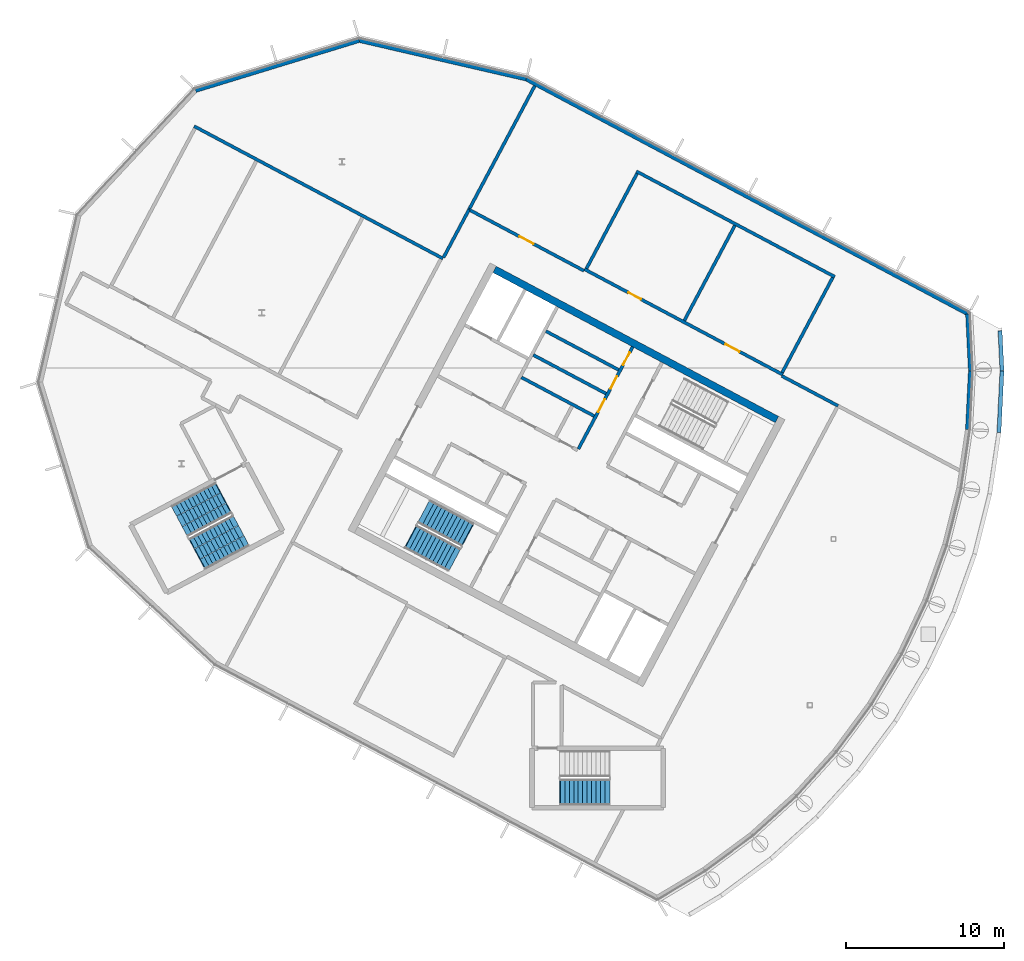
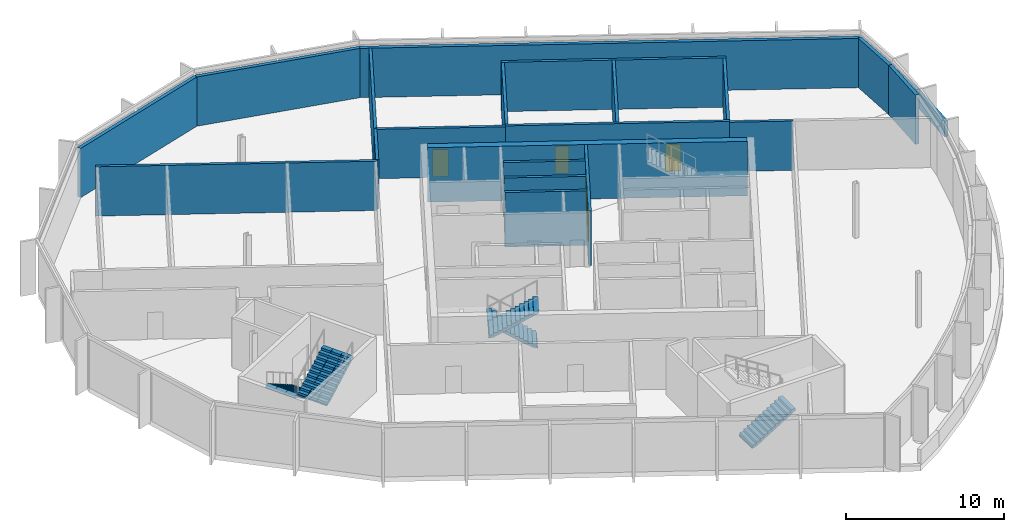
# One storey, part 8 of 16: 22 walls, 6 doors, 5 stair flights, 6 openings, 3 elements without a shape of their own.
"""IFC4 building model written with IfcOpenShell, lengths in metres."""

from ifc_helpers import new_model, si_unit, direction, frame, frame_2d, origin, place, context, subcontext, project, spatial, polyline, rectangle, outline, extrude, material, layer, layer_set, type_object, element, fill, aggregate, save


model = new_model("IFC4")

# Units and contexts
model_context = context("Model", 3, precision=1e-05, world=origin(), true_north=direction((0.0, 1.0)))
body_context = subcontext(model_context, "Body", "Model", "MODEL_VIEW")
ifc_project = project(units=[si_unit("LENGTHUNIT", "METRE"), si_unit("AREAUNIT", "SQUARE_METRE"), si_unit("VOLUMEUNIT", "CUBIC_METRE"), si_unit("PLANEANGLEUNIT", "RADIAN"), si_unit("MASSUNIT", "GRAM", prefix="KILO")], contexts=[model_context])

# Site, building, storey
site_placement = place(None, origin())
site = spatial("IfcSite", under=ifc_project, at=site_placement, CompositionType="ELEMENT")
building_placement = place(site_placement, origin())
building = spatial("IfcBuilding", under=site, at=building_placement, Name="Cormorant Relay Tower", CompositionType="ELEMENT")
storey_placement = place(building_placement, frame((0.0, 0.0, 345.0)))
storey = spatial("IfcBuildingStorey", under=building, at=storey_placement, Name="C5", CompositionType="ELEMENT", Elevation=345.0)

# Walls
ifc_material_1 = material(Name="Concrete 40 MPa", Category="concrete")
ifc_layer_1 = layer(ifc_material_1, 0.199951171875)
ifc_layer_set_1 = layer_set([ifc_layer_1], Name="Core internal wall 200")
wall_type_1 = type_object("IfcWallType", Name="Core internal wall 200", PredefinedType="SOLIDWALL", material=ifc_layer_set_1)
for number, where, z_axis, x_axis, name in (
    (1, (-24.073974609375, 21.181396484375, 0.0), (0.0, 0.0, 1.0), (-0.882953967957, 0.469459572775, 0.0), "C5 core A shaft and room wall"),
    (2, (-24.8720703125, 19.680419921875, 0.0), (0.0, 0.0, 1.0), (-0.882953967957, 0.469459572775, 0.0), "C5 core A shaft and room wall"),
):
    element("IfcWall", number, at=place(storey_placement, frame(where, z_axis=z_axis, x_axis=x_axis)), inside=storey, type_object=wall_type_1, Name=name, PredefinedType="SOLIDWALL", context=body_context, shape_type="SweptSolid", body=[
        extrude(rectangle(XDim=5.199951171875, YDim=0.199951171875, at=frame_2d((2.60009765625, 0.0))), origin(), (0.0, 0.0, 1.0), 4.199951171875),
    ])

# Wall, openings, doors
ifc_material_2 = material(Name="Concrete 50 MPa", Category="concrete")
ifc_layer_2 = layer(ifc_material_2, 0.199951171875)
ifc_layer_set_2 = layer_set([ifc_layer_2], Name="Core shaft wall 200")
wall_type_2 = type_object("IfcWallType", Name="Core shaft wall 200", PredefinedType="SHEAR", material=ifc_layer_set_2)
wall_1_placement = place(storey_placement, frame((-23.1875, 22.635498046875, 0.0), z_axis=(0.0, 0.0, 1.0), x_axis=(-0.469454336211, -0.882956752176, 0.0)))
wall_1 = element("IfcWall", 3, at=wall_1_placement, inside=storey, type_object=wall_type_2, Name="C5 core A shaft wall", PredefinedType="SHEAR", context=body_context, shape_type="SweptSolid", body=[
    extrude(rectangle(XDim=7.300048828125, YDim=0.199951171875, at=frame_2d((3.64990234375, 0.0))), origin(), (0.0, 0.0, 1.0), 4.199951171875),
])
opening_1_placement = place(wall_1_placement, frame((0.39990234375, 0.0, 0.0)))
opening_1 = element("IfcOpeningElement", 4, at=opening_1_placement, cuts=wall_1, Name="Opening CDD-389", PredefinedType="OPENING", context=body_context, shape_type="SweptSolid", body=[
    extrude(rectangle(XDim=0.89990234375, YDim=2.10009765625, at=frame_2d((0.449951171875, 1.050048828125))), frame((0.0, 0.10986328125, 0.0), z_axis=(0.0, -1.0, 0.0), x_axis=(1.0, 0.0, 0.0)), (0.0, 0.0, 1.0), 0.219970703125),
])
opening_2_placement = place(wall_1_placement, frame((2.10009765625, 0.0, 0.0)))
opening_2 = element("IfcOpeningElement", 5, at=opening_2_placement, cuts=wall_1, Name="Opening CDD-390", PredefinedType="OPENING", context=body_context, shape_type="SweptSolid", body=[
    extrude(rectangle(XDim=0.89990234375, YDim=2.10009765625, at=frame_2d((0.449951171875, 1.050048828125))), frame((0.0, 0.10986328125, 0.0), z_axis=(0.0, -1.0, 0.0), x_axis=(1.0, 0.0, 0.0)), (0.0, 0.0, 1.0), 0.219970703125),
])
opening_3_placement = place(wall_1_placement, frame((3.75, 0.0, 0.0)))
opening_3 = element("IfcOpeningElement", 6, at=opening_3_placement, cuts=wall_1, Name="Opening CDD-386", PredefinedType="OPENING", context=body_context, shape_type="SweptSolid", body=[
    extrude(rectangle(XDim=0.89990234375, YDim=2.10009765625, at=frame_2d((0.449951171875, 1.050048828125))), frame((0.0, 0.10986328125, 0.0), z_axis=(0.0, -1.0, 0.0), x_axis=(1.0, 0.0, 0.0)), (0.0, 0.0, 1.0), 0.219970703125),
])
ifc_material_3 = material(Name="Steel fire door", Category="steel")
door_type_1 = type_object("IfcDoorType", Name="Core room door 900x2100", OperationType="SINGLE_SWING_LEFT", PredefinedType="DOOR", material=ifc_material_3)
door_1_placement = place(opening_1_placement, frame((0.89990234375, 0.0, 0.0), z_axis=(0.0, 0.0, 1.0), x_axis=(-1.0, 0.0, 0.0)))
door_1 = element("IfcDoor", 7, at=door_1_placement, inside=storey, type_object=door_type_1, Name="Core room door 900x2100", OperationType="SINGLE_SWING_LEFT", OverallHeight=2.10009765625, OverallWidth=0.89990234375, PredefinedType="DOOR", context=body_context, shape_type="SweptSolid", body=[
    extrude(rectangle(XDim=0.89990234375, YDim=2.10009765625, at=frame_2d((0.449951171875, 1.050048828125))), frame((0.0, 0.02490234375, 0.0), z_axis=(0.0, -1.0, 0.0), x_axis=(1.0, 0.0, 0.0)), (0.0, 0.0, 1.0), 0.050048828125),
])
fill(opening_1, door_1)
door_2_placement = place(opening_2_placement, frame((0.89990234375, 0.0, 0.0), z_axis=(0.0, 0.0, 1.0), x_axis=(-1.0, 0.0, 0.0)))
door_2 = element("IfcDoor", 8, at=door_2_placement, inside=storey, type_object=door_type_1, Name="Core room door 900x2100", OperationType="SINGLE_SWING_RIGHT", OverallHeight=2.10009765625, OverallWidth=0.89990234375, PredefinedType="DOOR", context=body_context, shape_type="SweptSolid", body=[
    extrude(rectangle(XDim=0.89990234375, YDim=2.10009765625, at=frame_2d((0.449951171875, 1.050048828125))), frame((0.0, 0.02490234375, 0.0), z_axis=(0.0, -1.0, 0.0), x_axis=(1.0, 0.0, 0.0)), (0.0, 0.0, 1.0), 0.050048828125),
])
fill(opening_2, door_2)
door_3_placement = place(opening_3_placement, origin())
door_3 = element("IfcDoor", 9, at=door_3_placement, inside=storey, type_object=door_type_1, Name="Core room door 900x2100", OperationType="SINGLE_SWING_LEFT", OverallHeight=2.10009765625, OverallWidth=0.89990234375, PredefinedType="DOOR", context=body_context, shape_type="SweptSolid", body=[
    extrude(rectangle(XDim=0.89990234375, YDim=2.10009765625, at=frame_2d((0.449951171875, 1.050048828125))), frame((0.0, 0.02490234375, 0.0), z_axis=(0.0, -1.0, 0.0), x_axis=(1.0, 0.0, 0.0)), (0.0, 0.0, 1.0), 0.050048828125),
])
fill(opening_3, door_3)

# Walls
wall_2_placement = place(storey_placement, frame((-25.623046875, 18.267578125, 0.0), z_axis=(0.0, 0.0, 1.0), x_axis=(-0.882953967957, 0.469459572775, 0.0)))
element("IfcWall", 10, at=wall_2_placement, inside=storey, type_object=wall_type_2, Name="C5 core A shaft wall", PredefinedType="SHEAR", context=body_context, shape_type="SweptSolid", body=[
    extrude(rectangle(XDim=5.199951171875, YDim=0.199951171875, at=frame_2d((2.60009765625, 0.0))), origin(), (0.0, 0.0, 1.0), 4.199951171875),
])
ifc_material_4 = material(Name="Concrete 50 MPa", Category="concrete")
ifc_layer_3 = layer(ifc_material_4, 0.449951171875)
ifc_layer_set_3 = layer_set([ifc_layer_3], Name="Core wall 450")
wall_type_3 = type_object("IfcWallType", Name="Core wall 450", PredefinedType="SHEAR", material=ifc_layer_set_3)
wall_3_placement = place(storey_placement, frame((-14.07568359375, 18.04541015625, 0.0), z_axis=(0.0, 0.0, 1.0), x_axis=(-0.882947755831, 0.46947125628, 0.0)))
element("IfcWall", 11, at=wall_3_placement, inside=storey, type_object=wall_type_3, Name="C5 core A wall", PredefinedType="SHEAR", context=body_context, shape_type="SweptSolid", body=[
    extrude(rectangle(XDim=20.2001953125, YDim=0.449951171875, at=frame_2d((10.10009765625, 0.0))), origin(), (0.0, 0.0, 1.0), 4.199951171875),
])
ifc_material_5 = material(Name="Concrete 30 MPa block wall", Category="concrete")
ifc_layer_4 = layer(ifc_material_5, 0.199951171875)
ifc_layer_set_4 = layer_set([ifc_layer_4], Name="Crown plant room wall 200")
wall_type_4 = type_object("IfcWallType", Name="Crown plant room wall 200", PredefinedType="PARTITIONING", material=ifc_layer_set_4)
wall_4_placement = place(storey_placement, frame((-10.41650390625, 27.057373046875, 0.0), z_axis=(0.0, 0.0, 1.0), x_axis=(-0.882947150019, 0.469472395646, 0.0)))
element("IfcWall", 12, at=wall_4_placement, inside=storey, type_object=wall_type_4, Name="Plant room wall", PredefinedType="PARTITIONING", context=body_context, shape_type="SweptSolid", body=[
    extrude(rectangle(XDim=14.199951171875, YDim=0.199951171875, at=frame_2d((7.10009765625, 0.0))), origin(), (0.0, 0.0, 1.0), 3.7998046875),
])

# Wall, openings, doors
wall_5_placement = place(storey_placement, frame((-13.702880859375, 20.876708984375, 0.0), z_axis=(0.0, 0.0, 1.0), x_axis=(-0.882947150019, 0.469472395646, 0.0)))
wall_5 = element("IfcWall", 13, at=wall_5_placement, inside=storey, type_object=wall_type_4, Name="Plant room wall", PredefinedType="PARTITIONING", context=body_context, shape_type="SweptSolid", body=[
    extrude(rectangle(XDim=14.199951171875, YDim=0.199951171875, at=frame_2d((7.10009765625, 0.0))), origin(), (0.0, 0.0, 1.0), 3.7998046875),
])
opening_4_placement = place(wall_5_placement, frame((3.10009765625, 0.0, 0.0)))
opening_4 = element("IfcOpeningElement", 14, at=opening_4_placement, cuts=wall_5, Name="Opening CRD1-014", PredefinedType="OPENING", context=body_context, shape_type="SweptSolid", body=[
    extrude(rectangle(XDim=1.0, YDim=2.10009765625, at=frame_2d((0.5, 1.050048828125))), frame((0.0, 0.10986328125, 0.0), z_axis=(0.0, -1.0, 0.0), x_axis=(1.0, 0.0, 0.0)), (0.0, 0.0, 1.0), 0.219970703125),
])
opening_5_placement = place(wall_5_placement, frame((10.14990234375, 0.0, 0.0)))
opening_5 = element("IfcOpeningElement", 15, at=opening_5_placement, cuts=wall_5, Name="Opening CRD4-002", PredefinedType="OPENING", context=body_context, shape_type="SweptSolid", body=[
    extrude(rectangle(XDim=0.89990234375, YDim=2.10009765625, at=frame_2d((0.449951171875, 1.050048828125))), frame((0.0, 0.10986328125, 0.0), z_axis=(0.0, -1.0, 0.0), x_axis=(1.0, 0.0, 0.0)), (0.0, 0.0, 1.0), 0.219970703125),
])
ifc_material_6 = material(Name="Galvanised sheet steel ASTM A653 framed door leaf", Category="steel")
door_type_2 = type_object("IfcDoorType", Name="Crown door single 1000", OperationType="SINGLE_SWING_LEFT", PredefinedType="DOOR", material=ifc_material_6)
door_4_placement = place(opening_4_placement, frame((1.0, 0.0, 0.0), z_axis=(0.0, 0.0, 1.0), x_axis=(-1.0, 0.0, 0.0)))
door_4 = element("IfcDoor", 16, at=door_4_placement, inside=storey, type_object=door_type_2, Name="Fuel day tank room door", OperationType="SINGLE_SWING_RIGHT", OverallHeight=2.10009765625, OverallWidth=1.0, PredefinedType="DOOR", context=body_context, shape_type="SweptSolid", body=[
    extrude(rectangle(XDim=1.0, YDim=2.10009765625, at=frame_2d((0.5, 1.050048828125))), frame((0.0, 0.02490234375, 0.0), z_axis=(0.0, -1.0, 0.0), x_axis=(1.0, 0.0, 0.0)), (0.0, 0.0, 1.0), 0.050048828125),
])
fill(opening_4, door_4)
ifc_material_7 = material(Name="Galvanised sheet steel ASTM A653 framed door leaf", Category="steel")
door_type_3 = type_object("IfcDoorType", Name="Crown door single 900", OperationType="SINGLE_SWING_LEFT", PredefinedType="DOOR", material=ifc_material_7)
door_5_placement = place(opening_5_placement, frame((0.89990234375, 0.0, 0.0), z_axis=(0.0, 0.0, 1.0), x_axis=(-1.0, 0.0, 0.0)))
door_5 = element("IfcDoor", 17, at=door_5_placement, inside=storey, type_object=door_type_3, Name="Pump room door", OperationType="SINGLE_SWING_RIGHT", OverallHeight=2.10009765625, OverallWidth=0.89990234375, PredefinedType="DOOR", context=body_context, shape_type="SweptSolid", body=[
    extrude(rectangle(XDim=0.89990234375, YDim=2.10009765625, at=frame_2d((0.449951171875, 1.050048828125))), frame((0.0, 0.02490234375, 0.0), z_axis=(0.0, -1.0, 0.0), x_axis=(1.0, 0.0, 0.0)), (0.0, 0.0, 1.0), 0.050048828125),
])
fill(opening_5, door_5)

# Walls
wall_6_placement = place(storey_placement, frame((-35.1708984375, 28.21435546875, 0.0), z_axis=(0.0, 0.0, 1.0), x_axis=(-0.882952110828, 0.469463065622, 0.0)))
element("IfcWall", 18, at=wall_6_placement, inside=storey, type_object=wall_type_4, Name="Plant room wall", PredefinedType="PARTITIONING", context=body_context, shape_type="SweptSolid", body=[
    extrude(rectangle(XDim=17.800048828125, YDim=0.199951171875, at=frame_2d((8.89990234375, 0.0))), origin(), (0.0, 0.0, 1.0), 3.7998046875),
])
for number, where, z_axis, x_axis, name in (
    (19, (-10.5517578125, 27.01611328125, 0.0), (0.0, 0.0, 1.0), (-0.469462324734, -0.882952504756, 0.0), "Plant room wall"),
    (20, (-16.732421875, 30.302490234375, 0.0), (0.0, 0.0, 1.0), (-0.469462324734, -0.882952504756, 0.0), "Plant room wall"),
):
    element("IfcWall", number, at=place(storey_placement, frame(where, z_axis=z_axis, x_axis=x_axis)), inside=storey, type_object=wall_type_4, Name=name, PredefinedType="PARTITIONING", context=body_context, shape_type="SweptSolid", body=[
        extrude(rectangle(XDim=6.800048828125, YDim=0.199951171875, at=frame_2d((3.39990234375, 0.0))), origin(), (0.0, 0.0, 1.0), 3.7998046875),
    ])
wall_7_placement = place(storey_placement, frame((-22.9130859375, 33.588623046875, 0.0), z_axis=(0.0, 0.0, 1.0), x_axis=(-0.469477207229, -0.882944591632, 0.0)))
element("IfcWall", 21, at=wall_7_placement, inside=storey, type_object=wall_type_4, Name="Plant room wall", PredefinedType="PARTITIONING", context=body_context, shape_type="SweptSolid", body=[
    extrude(rectangle(XDim=6.7998046875, YDim=0.199951171875, at=frame_2d((3.39990234375, 0.0))), origin(), (0.0, 0.0, 1.0), 3.7998046875),
])
wall_8_placement = place(storey_placement, frame((-35.13330078125, 28.284912109375, 0.0), z_axis=(0.0, 0.0, 1.0), x_axis=(0.469431829014, 0.882968718533, 0.0)))
element("IfcWall", 22, at=wall_8_placement, inside=storey, type_object=wall_type_4, Name="Plant room wall", PredefinedType="PARTITIONING", context=body_context, shape_type="SweptSolid", body=[
    extrude(rectangle(XDim=3.419921875, YDim=0.199951171875, at=frame_2d((1.7099609375, 0.0))), origin(), (0.0, 0.0, 1.0), 3.7998046875),
])

# Wall, opening, door
wall_9_placement = place(storey_placement, frame((-33.52783203125, 31.3046875, 0.0), z_axis=(0.0, 0.0, 1.0), x_axis=(0.882943382095, -0.469479481996, 0.0)))
wall_9 = element("IfcWall", 23, at=wall_9_placement, inside=storey, type_object=wall_type_4, Name="Plant room wall", PredefinedType="PARTITIONING", context=body_context, shape_type="SweptSolid", body=[
    extrude(rectangle(XDim=8.219970703125, YDim=0.199951171875, at=frame_2d((4.10986328125, 0.0))), origin(), (0.0, 0.0, 1.0), 3.7998046875),
])
opening_6_placement = place(wall_9_placement, frame((3.610107421875, 0.0, 0.0)))
opening_6 = element("IfcOpeningElement", 24, at=opening_6_placement, cuts=wall_9, Name="Opening CRD1-010", PredefinedType="OPENING", context=body_context, shape_type="SweptSolid", body=[
    extrude(rectangle(XDim=1.0, YDim=2.10009765625, at=frame_2d((0.5, 1.050048828125))), frame((0.0, 0.10986328125, 0.0), z_axis=(0.0, -1.0, 0.0), x_axis=(1.0, 0.0, 0.0)), (0.0, 0.0, 1.0), 0.219970703125),
])
door_6_placement = place(opening_6_placement, origin())
door_6 = element("IfcDoor", 25, at=door_6_placement, inside=storey, type_object=door_type_2, Name="Air handling plant room door", OperationType="SINGLE_SWING_RIGHT", OverallHeight=2.10009765625, OverallWidth=1.0, PredefinedType="DOOR", context=body_context, shape_type="SweptSolid", body=[
    extrude(rectangle(XDim=1.0, YDim=2.10009765625, at=frame_2d((0.5, 1.050048828125))), frame((0.0, 0.02490234375, 0.0), z_axis=(0.0, -1.0, 0.0), x_axis=(1.0, 0.0, 0.0)), (0.0, 0.0, 1.0), 0.050048828125),
])
fill(opening_6, door_6)

# Walls
wall_10_placement = place(storey_placement, frame((-13.767578125, 20.7978515625, 0.0), z_axis=(0.0, 0.0, 1.0), x_axis=(0.882960769226, -0.469446780805, 0.0)))
element("IfcWall", 26, at=wall_10_placement, inside=storey, type_object=wall_type_4, Name="Plant room wall", PredefinedType="PARTITIONING", context=body_context, shape_type="SweptSolid", body=[
    extrude(rectangle(XDim=4.02001953125, YDim=0.199951171875, at=frame_2d((2.010009765625, 0.0))), origin(), (0.0, 0.0, 1.0), 3.7998046875),
])
wall_11_placement = place(storey_placement, frame((-29.3740234375, 39.119140625, 0.0), z_axis=(0.0, 0.0, 1.0), x_axis=(-0.469467804358, -0.88294959124, 0.0)))
element("IfcWall", 27, at=wall_11_placement, inside=storey, type_object=wall_type_4, Name="Plant room wall", PredefinedType="PARTITIONING", context=body_context, shape_type="SweptSolid", body=[
    extrude(rectangle(XDim=8.86962890625, YDim=0.199951171875, at=frame_2d((4.434814453125, 0.0))), origin(), (0.0, 0.0, 1.0), 3.7998046875),
])
ifc_material_8 = material(Name="Bronze cladding on Concrete 30 MPa block wall", Category="concrete")
ifc_layer_5 = layer(ifc_material_8, 0.25)
ifc_layer_set_5 = layer_set([ifc_layer_5], Name="Crown wall 250")
wall_type_5 = type_object("IfcWallType", Name="Crown wall 250", PredefinedType="STANDARD", material=ifc_layer_set_5)
wall_12_placement = place(storey_placement, frame((-50.79248046875, 38.825439453125, 0.0), z_axis=(0.0, 0.0, 1.0), x_axis=(0.95630419349, 0.292373544482, 0.0)))
element("IfcWall", 28, at=wall_12_placement, inside=storey, type_object=wall_type_5, Name="Crown wall C5", PredefinedType="STANDARD", context=body_context, shape_type="SweptSolid", body=[
    extrude(rectangle(XDim=10.8037109375, YDim=0.25, at=frame_2d((5.40185546875, 0.0))), origin(), (0.0, 0.0, 1.0), 3.7998046875),
])
wall_13_placement = place(storey_placement, frame((-40.4609375, 41.984130859375, 0.0), z_axis=(0.0, 0.0, 1.0), x_axis=(0.974369134847, -0.224955082309, 0.0)))
element("IfcWall", 29, at=wall_13_placement, inside=storey, type_object=wall_type_5, Name="Crown wall C5", PredefinedType="STANDARD", context=body_context, shape_type="SweptSolid", body=[
    extrude(rectangle(XDim=10.8203125, YDim=0.25, at=frame_2d((5.41015625, 0.0))), origin(), (0.0, 0.0, 1.0), 3.7998046875),
])
wall_14_placement = place(storey_placement, frame((-29.91796875, 39.550048828125, 0.0), z_axis=(0.0, 0.0, 1.0), x_axis=(0.882947804039, -0.469471165614, 0.0)))
element("IfcWall", 30, at=wall_14_placement, inside=storey, type_object=wall_type_5, Name="Crown wall C5", PredefinedType="STANDARD", context=body_context, shape_type="SweptSolid", body=[
    extrude(rectangle(XDim=31.580078125, YDim=0.25, at=frame_2d((15.7900390625, 0.0))), origin(), (0.0, 0.0, 1.0), 3.7998046875),
])
wall_15_placement = place(storey_placement, frame((-2.034423828125, 24.72412109375, 0.0), z_axis=(0.0, 0.0, 1.0), x_axis=(0.049001253472, -0.998798717039, 0.0)))
element("IfcWall", 31, at=wall_15_placement, inside=storey, type_object=wall_type_5, Name="Crown wall C5", PredefinedType="STANDARD", context=body_context, shape_type="SweptSolid", body=[
    extrude(rectangle(XDim=3.602294921875, YDim=0.25, at=frame_2d((1.80126953125, 0.0))), origin(), (0.0, 0.0, 1.0), 3.7998046875),
])
wall_16_placement = place(storey_placement, frame((-1.85791015625, 21.126220703125, 0.0), z_axis=(0.0, 0.0, 1.0), x_axis=(-0.049066175246, -0.998795529849, 0.0)))
element("IfcWall", 32, at=wall_16_placement, inside=storey, type_object=wall_type_5, Name="Crown wall C5", PredefinedType="STANDARD", context=body_context, shape_type="SweptSolid", body=[
    extrude(rectangle(XDim=3.716796875, YDim=0.25, at=frame_2d((1.8583984375, 0.0))), origin(), (0.0, 0.0, 1.0), 3.7998046875),
])
ifc_material_9 = material(Name="Bronze cladding on Concrete 30 MPa block wall", Category="concrete")
ifc_layer_6 = layer(ifc_material_9, 0.25)
ifc_layer_set_6 = layer_set([ifc_layer_6], Name="Parapet 250")
wall_type_6 = type_object("IfcWallType", Name="Parapet 250", PredefinedType="PARAPET", material=ifc_layer_set_6)
wall_17_placement = place(storey_placement, frame((0.01806640625, 23.652099609375, 0.0), z_axis=(0.0, 0.0, 1.0), x_axis=(0.049042019316, -0.998796716225, 0.0)))
element("IfcWall", 33, at=wall_17_placement, inside=storey, type_object=wall_type_6, Name="Terrace parapet C4", PredefinedType="PARAPET", context=body_context, shape_type="SweptSolid", body=[
    extrude(rectangle(XDim=2.52880859375, YDim=0.25, at=frame_2d((1.264404296875, 0.0))), origin(), (0.0, 0.0, 1.0), 1.199951171875),
])
wall_18_placement = place(storey_placement, frame((0.14208984375, 21.126220703125, 0.0), z_axis=(0.0, 0.0, 1.0), x_axis=(-0.049038313571, -0.998796898174, 0.0)))
element("IfcWall", 34, at=wall_18_placement, inside=storey, type_object=wall_type_6, Name="Terrace parapet C4", PredefinedType="PARAPET", context=body_context, shape_type="SweptSolid", body=[
    extrude(rectangle(XDim=3.9130859375, YDim=0.25, at=frame_2d((1.95654296875, 0.0))), origin(), (0.0, 0.0, 1.0), 1.199951171875),
])

# Stair, stair flights
ifc_material_10 = material(Name="Concrete 40 MPa", Category="concrete")
stair_type_1 = type_object("IfcStairType", Name="Exit stair 1500", PredefinedType="HALF_TURN_STAIR", material=ifc_material_10)
stair_1_placement = place(storey_placement, origin())
stair_1 = element("IfcStair", 35, at=stair_1_placement, inside=storey, type_object=stair_type_1, Name="C5 Stair", PredefinedType="HALF_TURN_STAIR")
ifc_material_11 = material(Name="Concrete 40 MPa", Category="concrete")
stair_flight_type_1 = type_object("IfcStairFlightType", Name="Exit stair flight 1650", PredefinedType="STRAIGHT", material=ifc_material_11)
stair_flight_1_placement = place(storey_placement, frame((-33.62841796875, 10.773681640625, 0.0), z_axis=(0.0, 0.0, 1.0), x_axis=(-0.882947592859, 0.469471562786, 0.0)))
stair_flight_1 = element("IfcStairFlight", 36, at=stair_flight_1_placement, type_object=stair_flight_type_1, Name="A2 flight 1", NumberOfRisers=12, NumberOfTreads=11, PredefinedType="STRAIGHT", RiserHeight=0.175, TreadLength=0.28, context=body_context, shape_type="SweptSolid", body=[
    extrude(outline(polyline([(-0.050048828125, -0.080078125), (-0.050048828125, 0.0), (0.0, 0.0), (0.0, 0.175048828125), (0.280029296875, 0.175048828125), (0.280029296875, 0.35009765625), (0.56005859375, 0.35009765625), (0.56005859375, 0.52490234375), (0.840087890625, 0.52490234375), (0.840087890625, 0.699951171875), (1.1201171875, 0.699951171875), (1.1201171875, 0.875), (1.39990234375, 0.875), (1.39990234375, 1.050048828125), (1.679931640625, 1.050048828125), (1.679931640625, 1.22509765625), (1.9599609375, 1.22509765625), (1.9599609375, 1.39990234375), (2.239990234375, 1.39990234375), (2.239990234375, 1.574951171875), (2.52001953125, 1.574951171875), (2.52001953125, 1.75), (2.800048828125, 1.75), (2.800048828125, 1.925048828125), (3.080078125, 1.925048828125), (3.130126953125, 1.925048828125), (3.130126953125, 1.748291015625), (3.080078125, 1.748291015625), (0.28271484375, 0.0), (-0.050048828125, -0.080078125)])), frame((0.0, 0.824951171875, 0.0), z_axis=(0.0, -1.0, 0.0), x_axis=(1.0, 0.0, 0.0)), (0.0, 0.0, 1.0), 1.64990234375),
])
stair_flight_2_placement = place(storey_placement, frame((-37.19287109375, 10.63037109375, 2.10009765625), z_axis=(0.0, 0.0, 1.0), x_axis=(0.882947592859, -0.469471562786, 0.0)))
stair_flight_2 = element("IfcStairFlight", 37, at=stair_flight_2_placement, type_object=stair_flight_type_1, Name="A2 flight 2", NumberOfRisers=12, NumberOfTreads=11, PredefinedType="STRAIGHT", RiserHeight=0.175, TreadLength=0.28, context=body_context, shape_type="SweptSolid", body=[
    extrude(outline(polyline([(-0.050048828125, -0.080078125), (-0.050048828125, 0.0), (0.0, 0.0), (0.0, 0.175048828125), (0.280029296875, 0.175048828125), (0.280029296875, 0.35009765625), (0.56005859375, 0.35009765625), (0.56005859375, 0.52490234375), (0.840087890625, 0.52490234375), (0.840087890625, 0.699951171875), (1.1201171875, 0.699951171875), (1.1201171875, 0.875), (1.39990234375, 0.875), (1.39990234375, 1.050048828125), (1.679931640625, 1.050048828125), (1.679931640625, 1.22509765625), (1.9599609375, 1.22509765625), (1.9599609375, 1.39990234375), (2.239990234375, 1.39990234375), (2.239990234375, 1.574951171875), (2.52001953125, 1.574951171875), (2.52001953125, 1.75), (2.800048828125, 1.75), (2.800048828125, 1.925048828125), (3.080078125, 1.925048828125), (3.130126953125, 1.925048828125), (3.130126953125, 1.748291015625), (3.080078125, 1.748291015625), (0.28271484375, 0.0), (-0.050048828125, -0.080078125)])), frame((0.0, 0.824951171875, 0.0), z_axis=(0.0, -1.0, 0.0), x_axis=(1.0, 0.0, 0.0)), (0.0, 0.0, 1.0), 1.64990234375),
])
aggregate(stair_1, [stair_flight_1, stair_flight_2])

# Stair, stair flight
stair_2_placement = place(storey_placement, origin())
stair_2 = element("IfcStair", 38, at=stair_2_placement, inside=storey, type_object=stair_type_1, Name="C5 Stair", PredefinedType="HALF_TURN_STAIR")
stair_flight_3_placement = place(storey_placement, frame((-27.75, -5.5, 0.0), z_axis=(0.0, 0.0, 1.0), x_axis=(1.0, 0.0, 0.0)))
stair_flight_3 = element("IfcStairFlight", 39, at=stair_flight_3_placement, type_object=stair_flight_type_1, Name="RC1 flight 1", NumberOfRisers=12, NumberOfTreads=11, PredefinedType="STRAIGHT", RiserHeight=0.175, TreadLength=0.28, context=body_context, shape_type="SweptSolid", body=[
    extrude(outline(polyline([(-0.050048828125, -0.080078125), (-0.050048828125, 0.0), (0.0, 0.0), (0.0, 0.175048828125), (0.280029296875, 0.175048828125), (0.280029296875, 0.35009765625), (0.56005859375, 0.35009765625), (0.56005859375, 0.52490234375), (0.840087890625, 0.52490234375), (0.840087890625, 0.699951171875), (1.1201171875, 0.699951171875), (1.1201171875, 0.875), (1.39990234375, 0.875), (1.39990234375, 1.050048828125), (1.679931640625, 1.050048828125), (1.679931640625, 1.22509765625), (1.9599609375, 1.22509765625), (1.9599609375, 1.39990234375), (2.239990234375, 1.39990234375), (2.239990234375, 1.574951171875), (2.52001953125, 1.574951171875), (2.52001953125, 1.75), (2.800048828125, 1.75), (2.800048828125, 1.925048828125), (3.080078125, 1.925048828125), (3.130126953125, 1.925048828125), (3.130126953125, 1.748291015625), (3.080078125, 1.748291015625), (0.28271484375, 0.0), (-0.050048828125, -0.080078125)])), frame((0.0, 0.824951171875, 0.0), z_axis=(0.0, -1.0, 0.0), x_axis=(1.0, 0.0, 0.0)), (0.0, 0.0, 1.0), 1.64990234375),
])
aggregate(stair_2, [stair_flight_3])

# Stair, stair flights
ifc_material_12 = material(Name="Concrete 40 MPa", Category="concrete")
stair_type_2 = type_object("IfcStairType", Name="Remote exit stair 2200", PredefinedType="HALF_TURN_STAIR", material=ifc_material_12)
stair_3_placement = place(storey_placement, origin())
stair_3 = element("IfcStair", 40, at=stair_3_placement, inside=storey, type_object=stair_type_2, Name="C5 Stair", PredefinedType="HALF_TURN_STAIR")
ifc_material_13 = material(Name="Concrete 40 MPa", Category="concrete")
stair_flight_type_2 = type_object("IfcStairFlightType", Name="Remote exit stair flight 2200", PredefinedType="STRAIGHT", material=ifc_material_13)
stair_flight_4_placement = place(storey_placement, frame((-49.062255859375, 13.08251953125, 0.0), z_axis=(0.0, 0.0, 1.0), x_axis=(-0.882947502727, -0.4694717323, 0.0)))
stair_flight_4 = element("IfcStairFlight", 41, at=stair_flight_4_placement, type_object=stair_flight_type_2, Name="RP1 flight 1", NumberOfRisers=12, NumberOfTreads=11, PredefinedType="STRAIGHT", RiserHeight=0.175, TreadLength=0.28, context=body_context, shape_type="SweptSolid", body=[
    extrude(outline(polyline([(-0.050048828125, -0.080078125), (-0.050048828125, 0.0), (0.0, 0.0), (0.0, 0.175048828125), (0.280029296875, 0.175048828125), (0.280029296875, 0.35009765625), (0.56005859375, 0.35009765625), (0.56005859375, 0.52490234375), (0.840087890625, 0.52490234375), (0.840087890625, 0.699951171875), (1.1201171875, 0.699951171875), (1.1201171875, 0.875), (1.39990234375, 0.875), (1.39990234375, 1.050048828125), (1.679931640625, 1.050048828125), (1.679931640625, 1.22509765625), (1.9599609375, 1.22509765625), (1.9599609375, 1.39990234375), (2.239990234375, 1.39990234375), (2.239990234375, 1.574951171875), (2.52001953125, 1.574951171875), (2.52001953125, 1.75), (2.800048828125, 1.75), (2.800048828125, 1.925048828125), (3.080078125, 1.925048828125), (3.130126953125, 1.925048828125), (3.130126953125, 1.748291015625), (3.080078125, 1.748291015625), (0.28271484375, 0.0), (-0.050048828125, -0.080078125)])), frame((0.0, 1.10009765625, 0.0), z_axis=(0.0, -1.0, 0.0), x_axis=(1.0, 0.0, 0.0)), (0.0, 0.0, 1.0), 0.719970703125),
    extrude(outline(polyline([(-0.050048828125, -0.080078125), (-0.050048828125, 0.0), (0.0, 0.0), (0.0, 0.175048828125), (0.280029296875, 0.175048828125), (0.280029296875, 0.35009765625), (0.56005859375, 0.35009765625), (0.56005859375, 0.52490234375), (0.840087890625, 0.52490234375), (0.840087890625, 0.699951171875), (1.1201171875, 0.699951171875), (1.1201171875, 0.875), (1.39990234375, 0.875), (1.39990234375, 1.050048828125), (1.679931640625, 1.050048828125), (1.679931640625, 1.22509765625), (1.9599609375, 1.22509765625), (1.9599609375, 1.39990234375), (2.239990234375, 1.39990234375), (2.239990234375, 1.574951171875), (2.52001953125, 1.574951171875), (2.52001953125, 1.75), (2.800048828125, 1.75), (2.800048828125, 1.925048828125), (3.080078125, 1.925048828125), (3.130126953125, 1.925048828125), (3.130126953125, 1.748291015625), (3.080078125, 1.748291015625), (0.28271484375, 0.0), (-0.050048828125, -0.080078125)])), frame((0.0, 0.360107421875, 0.0), z_axis=(0.0, -1.0, 0.0), x_axis=(1.0, 0.0, 0.0)), (0.0, 0.0, 1.0), 0.719970703125),
    extrude(outline(polyline([(-0.050048828125, -0.080078125), (-0.050048828125, 0.0), (0.0, 0.0), (0.0, 0.175048828125), (0.280029296875, 0.175048828125), (0.280029296875, 0.35009765625), (0.56005859375, 0.35009765625), (0.56005859375, 0.52490234375), (0.840087890625, 0.52490234375), (0.840087890625, 0.699951171875), (1.1201171875, 0.699951171875), (1.1201171875, 0.875), (1.39990234375, 0.875), (1.39990234375, 1.050048828125), (1.679931640625, 1.050048828125), (1.679931640625, 1.22509765625), (1.9599609375, 1.22509765625), (1.9599609375, 1.39990234375), (2.239990234375, 1.39990234375), (2.239990234375, 1.574951171875), (2.52001953125, 1.574951171875), (2.52001953125, 1.75), (2.800048828125, 1.75), (2.800048828125, 1.925048828125), (3.080078125, 1.925048828125), (3.130126953125, 1.925048828125), (3.130126953125, 1.748291015625), (3.080078125, 1.748291015625), (0.28271484375, 0.0), (-0.050048828125, -0.080078125)])), frame((0.0, -0.3798828125, 0.0), z_axis=(0.0, -1.0, 0.0), x_axis=(1.0, 0.0, 0.0)), (0.0, 0.0, 1.0), 0.719970703125),
])
stair_flight_5_placement = place(storey_placement, frame((-50.678466796875, 9.5615234375, 2.10009765625), z_axis=(0.0, 0.0, 1.0), x_axis=(0.882947502727, 0.4694717323, 0.0)))
stair_flight_5 = element("IfcStairFlight", 42, at=stair_flight_5_placement, type_object=stair_flight_type_2, Name="RP1 flight 2", NumberOfRisers=12, NumberOfTreads=11, PredefinedType="STRAIGHT", RiserHeight=0.175, TreadLength=0.28, context=body_context, shape_type="SweptSolid", body=[
    extrude(outline(polyline([(-0.050048828125, -0.080078125), (-0.050048828125, 0.0), (0.0, 0.0), (0.0, 0.175048828125), (0.280029296875, 0.175048828125), (0.280029296875, 0.35009765625), (0.56005859375, 0.35009765625), (0.56005859375, 0.52490234375), (0.840087890625, 0.52490234375), (0.840087890625, 0.699951171875), (1.1201171875, 0.699951171875), (1.1201171875, 0.875), (1.39990234375, 0.875), (1.39990234375, 1.050048828125), (1.679931640625, 1.050048828125), (1.679931640625, 1.22509765625), (1.9599609375, 1.22509765625), (1.9599609375, 1.39990234375), (2.239990234375, 1.39990234375), (2.239990234375, 1.574951171875), (2.52001953125, 1.574951171875), (2.52001953125, 1.75), (2.800048828125, 1.75), (2.800048828125, 1.925048828125), (3.080078125, 1.925048828125), (3.130126953125, 1.925048828125), (3.130126953125, 1.748291015625), (3.080078125, 1.748291015625), (0.28271484375, 0.0), (-0.050048828125, -0.080078125)])), frame((0.0, 1.10009765625, 0.0), z_axis=(0.0, -1.0, 0.0), x_axis=(1.0, 0.0, 0.0)), (0.0, 0.0, 1.0), 0.719970703125),
    extrude(outline(polyline([(-0.050048828125, -0.080078125), (-0.050048828125, 0.0), (0.0, 0.0), (0.0, 0.175048828125), (0.280029296875, 0.175048828125), (0.280029296875, 0.35009765625), (0.56005859375, 0.35009765625), (0.56005859375, 0.52490234375), (0.840087890625, 0.52490234375), (0.840087890625, 0.699951171875), (1.1201171875, 0.699951171875), (1.1201171875, 0.875), (1.39990234375, 0.875), (1.39990234375, 1.050048828125), (1.679931640625, 1.050048828125), (1.679931640625, 1.22509765625), (1.9599609375, 1.22509765625), (1.9599609375, 1.39990234375), (2.239990234375, 1.39990234375), (2.239990234375, 1.574951171875), (2.52001953125, 1.574951171875), (2.52001953125, 1.75), (2.800048828125, 1.75), (2.800048828125, 1.925048828125), (3.080078125, 1.925048828125), (3.130126953125, 1.925048828125), (3.130126953125, 1.748291015625), (3.080078125, 1.748291015625), (0.28271484375, 0.0), (-0.050048828125, -0.080078125)])), frame((0.0, 0.360107421875, 0.0), z_axis=(0.0, -1.0, 0.0), x_axis=(1.0, 0.0, 0.0)), (0.0, 0.0, 1.0), 0.719970703125),
    extrude(outline(polyline([(-0.050048828125, -0.080078125), (-0.050048828125, 0.0), (0.0, 0.0), (0.0, 0.175048828125), (0.280029296875, 0.175048828125), (0.280029296875, 0.35009765625), (0.56005859375, 0.35009765625), (0.56005859375, 0.52490234375), (0.840087890625, 0.52490234375), (0.840087890625, 0.699951171875), (1.1201171875, 0.699951171875), (1.1201171875, 0.875), (1.39990234375, 0.875), (1.39990234375, 1.050048828125), (1.679931640625, 1.050048828125), (1.679931640625, 1.22509765625), (1.9599609375, 1.22509765625), (1.9599609375, 1.39990234375), (2.239990234375, 1.39990234375), (2.239990234375, 1.574951171875), (2.52001953125, 1.574951171875), (2.52001953125, 1.75), (2.800048828125, 1.75), (2.800048828125, 1.925048828125), (3.080078125, 1.925048828125), (3.130126953125, 1.925048828125), (3.130126953125, 1.748291015625), (3.080078125, 1.748291015625), (0.28271484375, 0.0), (-0.050048828125, -0.080078125)])), frame((0.0, -0.3798828125, 0.0), z_axis=(0.0, -1.0, 0.0), x_axis=(1.0, 0.0, 0.0)), (0.0, 0.0, 1.0), 0.719970703125),
])
aggregate(stair_3, [stair_flight_4, stair_flight_5])

save(model, "model.ifc")
